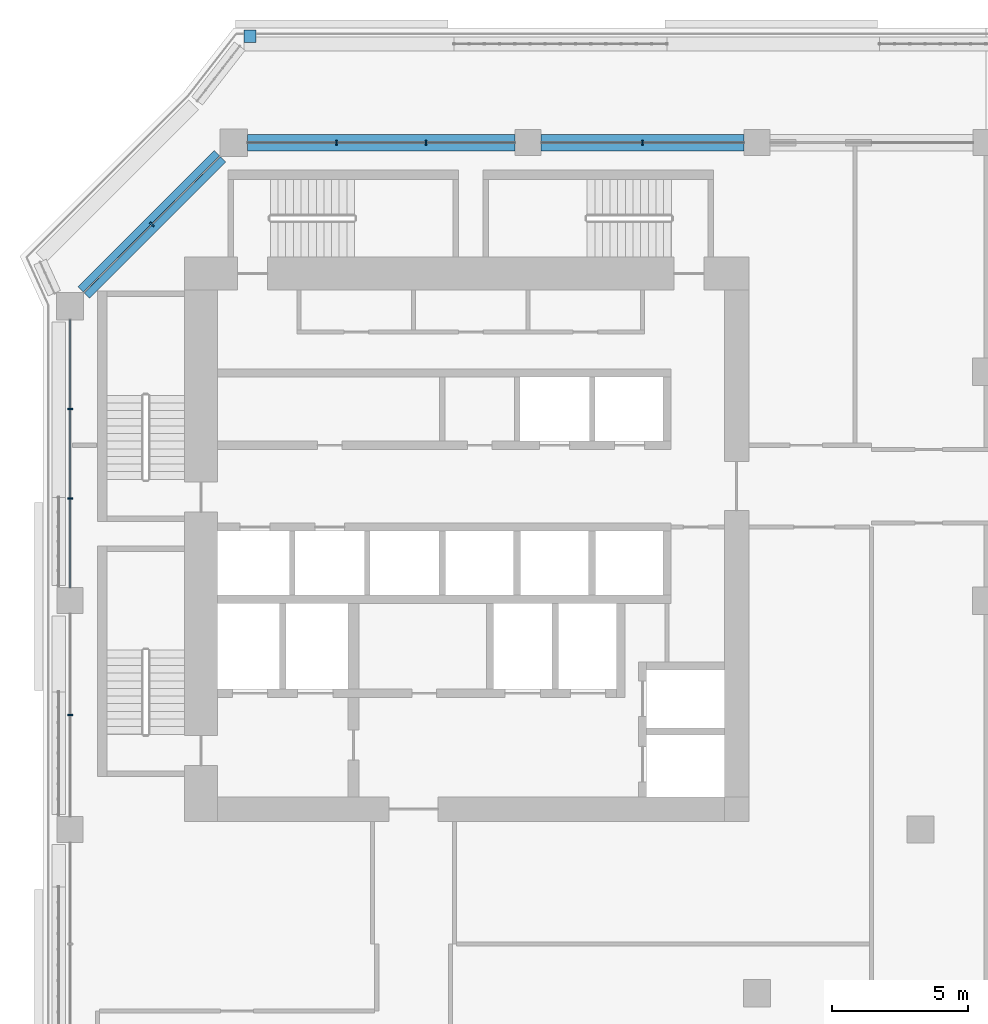
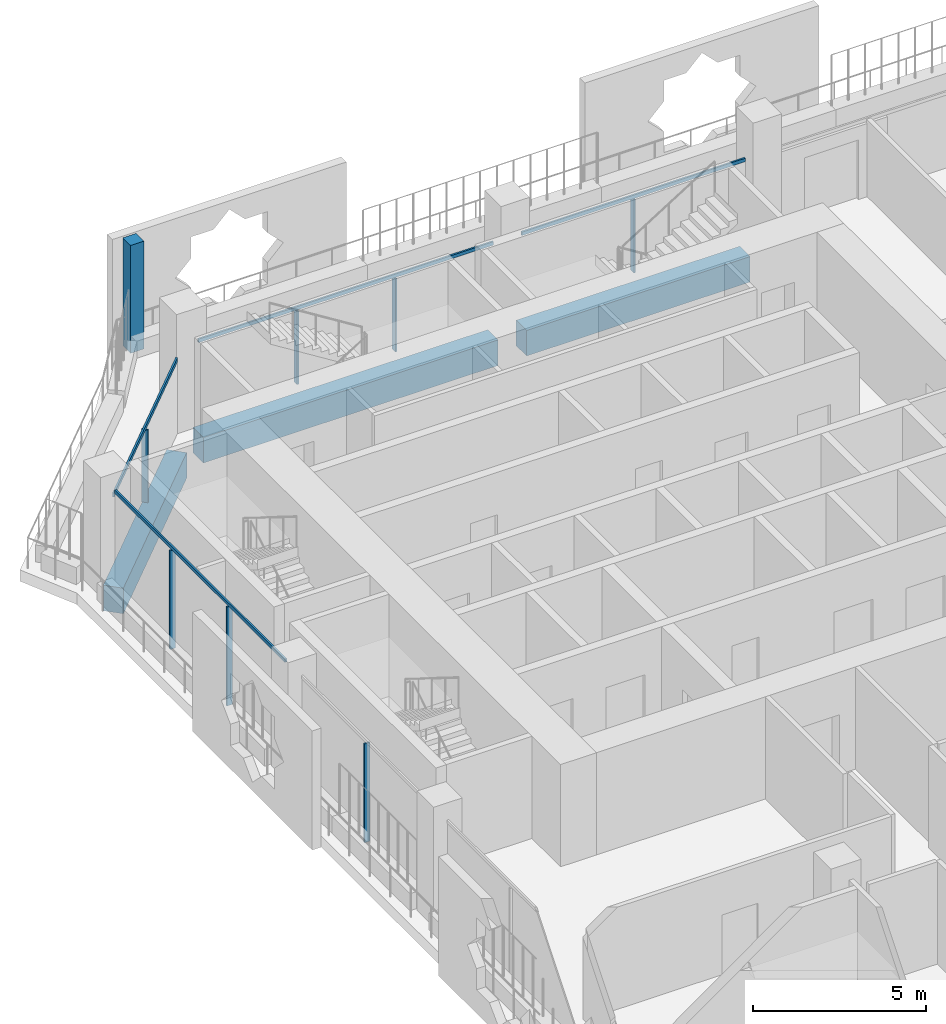
# One storey, part 5 of 22: 12 members, 3 beams, 4 elements without a shape of their own.
"""IFC4 building model written with IfcOpenShell, lengths in metres."""

from ifc_helpers import new_model, si_unit, direction, frame, origin, origin_2d, place, context, subcontext, project, spatial, rectangle, extrude, material, layer, layer_set, material_profile, profile_set, type_object, element, aggregate, save


model = new_model("IFC4")

# Units and contexts
model_context = context("Model", 3, precision=1e-05, world=origin(), true_north=direction((0.0, 1.0)))
body_context = subcontext(model_context, "Body", "Model", "MODEL_VIEW")
ifc_project = project(units=[si_unit("LENGTHUNIT", "METRE"), si_unit("AREAUNIT", "SQUARE_METRE"), si_unit("VOLUMEUNIT", "CUBIC_METRE"), si_unit("PLANEANGLEUNIT", "RADIAN"), si_unit("MASSUNIT", "GRAM", prefix="KILO")], contexts=[model_context])

# Site, building, storey
site_placement = place(None, origin())
site = spatial("IfcSite", under=ifc_project, at=site_placement, CompositionType="ELEMENT")
building_placement = place(site_placement, origin())
building = spatial("IfcBuilding", under=site, at=building_placement, Name="Kawkab Arch Medical Tower", CompositionType="ELEMENT")
storey_placement = place(building_placement, frame((0.0, 0.0, 187.800048828125)))
storey = spatial("IfcBuildingStorey", under=building, at=storey_placement, Name="L43", CompositionType="ELEMENT", Elevation=187.800048828125)

# Curtain wall, members
ifc_material_1 = material(Name="Bronze anodised aluminium curtain wall frame", Category="aluminium")
ifc_layer_1 = layer(ifc_material_1, 0.159912109375)
ifc_layer_set_1 = layer_set([ifc_layer_1], Name="Bronze anodised aluminium curtain wall frame")
curtain_wall_type_1 = type_object("IfcCurtainWallType", Name="CW1 ward curtain wall", PredefinedType="NOTDEFINED", material=ifc_layer_set_1)
placement = place(storey_placement, origin())
curtain_wall_1 = element("IfcCurtainWall", 1, at=placement, inside=storey, type_object=curtain_wall_type_1, Name="CW1 Ward curtain wall R01", PredefinedType="NOTDEFINED")
ifc_material_2 = material(Name="Bronze anodised aluminium curtain wall frame", Category="aluminium")
ifc_material_profile_1 = material_profile(ifc_material_2, rectangle(XDim=0.179931640625, YDim=0.06005859375, at=origin_2d()), Name="AL 60x180")
ifc_profile_set_1 = profile_set([ifc_material_profile_1], Name="Bronze anodised aluminium curtain wall frame")
member_type_1 = type_object("IfcMemberType", Name="CW1 mullion 60 x 180", PredefinedType="MULLION", material=ifc_profile_set_1)
member_1_placement = place(storey_placement, frame((0.0, -9.77490234375, 0.0), z_axis=(0.0, 0.0, 1.0), x_axis=(1.0, 0.0, 0.0)))
member_1 = element("IfcMember", 2, at=member_1_placement, type_object=member_type_1, Name="CW1 mullion 1.1", PredefinedType="MULLION", context=body_context, shape_type="SweptSolid", body=[
    extrude(rectangle(XDim=0.179931640625, YDim=0.06005859375, at=origin_2d()), origin(), (0.0, 0.0, 1.0), 3.47998046875),
])
member_2_placement = place(storey_placement, frame((0.0, -13.050048828125, 0.0), z_axis=(0.0, 0.0, 1.0), x_axis=(1.0, 0.0, 0.0)))
member_2 = element("IfcMember", 3, at=member_2_placement, type_object=member_type_1, Name="CW1 mullion 1.2", PredefinedType="MULLION", context=body_context, shape_type="SweptSolid", body=[
    extrude(rectangle(XDim=0.179931640625, YDim=0.06005859375, at=origin_2d()), origin(), (0.0, 0.0, 1.0), 3.47998046875),
])
member_3_placement = place(storey_placement, frame((0.0, -21.0, 0.0), z_axis=(0.0, 0.0, 1.0), x_axis=(1.0, 0.0, 0.0)))
member_3 = element("IfcMember", 4, at=member_3_placement, type_object=member_type_1, Name="CW1 mullion 2.1", PredefinedType="MULLION", context=body_context, shape_type="SweptSolid", body=[
    extrude(rectangle(XDim=0.179931640625, YDim=0.06005859375, at=origin_2d()), origin(), (0.0, 0.0, 1.0), 3.47998046875),
])

curtain_wall_2 = element("IfcCurtainWall", 5, at=placement, inside=storey, type_object=curtain_wall_type_1, Name="CW1 Ward curtain wall R11", PredefinedType="NOTDEFINED")
member_4_placement = place(storey_placement, frame((21.0, 0.0, 0.0), z_axis=(0.0, 0.0, 1.0), x_axis=(0.0, -1.0, 0.0)))
member_4 = element("IfcMember", 6, at=member_4_placement, type_object=member_type_1, Name="CW1 mullion 5.1", PredefinedType="MULLION", context=body_context, shape_type="SweptSolid", body=[
    extrude(rectangle(XDim=0.179931640625, YDim=0.06005859375, at=origin_2d()), origin(), (0.0, 0.0, 1.0), 2.579833984375),
])
member_5_placement = place(storey_placement, frame((13.050048828125, 0.0, 0.0), z_axis=(0.0, 0.0, 1.0), x_axis=(0.0, -1.0, 0.0)))
member_5 = element("IfcMember", 7, at=member_5_placement, type_object=member_type_1, Name="CW1 mullion 6.1", PredefinedType="MULLION", context=body_context, shape_type="SweptSolid", body=[
    extrude(rectangle(XDim=0.179931640625, YDim=0.06005859375, at=origin_2d()), origin(), (0.0, 0.0, 1.0), 2.579833984375),
])
member_6_placement = place(storey_placement, frame((9.77490234375, 0.0, 0.0), z_axis=(0.0, 0.0, 1.0), x_axis=(0.0, -1.0, 0.0)))
member_6 = element("IfcMember", 8, at=member_6_placement, type_object=member_type_1, Name="CW1 mullion 6.2", PredefinedType="MULLION", context=body_context, shape_type="SweptSolid", body=[
    extrude(rectangle(XDim=0.179931640625, YDim=0.06005859375, at=origin_2d()), origin(), (0.0, 0.0, 1.0), 2.579833984375),
])

# Member
ifc_material_3 = material(Name="Bronze anodised aluminium curtain wall frame", Category="aluminium")
ifc_material_profile_2 = material_profile(ifc_material_3, rectangle(XDim=0.06005859375, YDim=0.1201171875, at=origin_2d()), Name="AL 60x120")
ifc_profile_set_2 = profile_set([ifc_material_profile_2], Name="Bronze anodised aluminium curtain wall frame")
member_type_2 = type_object("IfcMemberType", Name="CW1 transom 120 x 60", PredefinedType="USERDEFINED", material=ifc_profile_set_2)
member_7_placement = place(storey_placement, frame((0.0, -6.5, 3.5400390625), z_axis=(0.0, -1.0, 0.0), x_axis=(1.0, 0.0, 0.0)))
member_7 = element("IfcMember", 9, at=member_7_placement, type_object=member_type_2, Name="CW1 transom 1", ObjectType="TRANSOM", PredefinedType="USERDEFINED", context=body_context, shape_type="SweptSolid", body=[
    extrude(rectangle(XDim=0.06005859375, YDim=0.1201171875, at=origin_2d()), origin(), (0.0, 0.0, 1.0), 9.824951171875),
])

aggregate(curtain_wall_1, [member_7, member_1, member_2, member_3])

member_8_placement = place(storey_placement, frame((24.72509765625, 0.0, 2.639892578125), z_axis=(-1.0, 0.0, 0.0), x_axis=(0.0, -1.0, 0.0)))
member_8 = element("IfcMember", 10, at=member_8_placement, type_object=member_type_2, Name="CW1 transom 5", ObjectType="TRANSOM", PredefinedType="USERDEFINED", context=body_context, shape_type="SweptSolid", body=[
    extrude(rectangle(XDim=0.06005859375, YDim=0.1201171875, at=origin_2d()), origin(), (0.0, 0.0, 1.0), 7.4501953125),
])

member_9_placement = place(storey_placement, frame((16.324951171875, 0.0, 2.639892578125), z_axis=(-1.0, 0.0, 0.0), x_axis=(0.0, -1.0, 0.0)))
member_9 = element("IfcMember", 11, at=member_9_placement, type_object=member_type_2, Name="CW1 transom 6", ObjectType="TRANSOM", PredefinedType="USERDEFINED", context=body_context, shape_type="SweptSolid", body=[
    extrude(rectangle(XDim=0.06005859375, YDim=0.1201171875, at=origin_2d()), origin(), (0.0, 0.0, 1.0), 9.824951171875),
])

aggregate(curtain_wall_2, [member_8, member_4, member_9, member_5, member_6])

# Curtain wall, members
ifc_material_4 = material(Name="Bronze anodised aluminium curtain wall frame", Category="aluminium")
ifc_layer_2 = layer(ifc_material_4, 0.159912109375)
ifc_layer_set_2 = layer_set([ifc_layer_2], Name="Bronze anodised aluminium curtain wall frame")
curtain_wall_type_2 = type_object("IfcCurtainWallType", Name="CW2 chamfer curtain wall", PredefinedType="NOTDEFINED", material=ifc_layer_set_2)
curtain_wall_3 = element("IfcCurtainWall", 12, at=placement, inside=storey, type_object=curtain_wall_type_2, Name="CW2 Chamfer curtain wall R12", PredefinedType="NOTDEFINED")
ifc_material_5 = material(Name="Bronze anodised aluminium curtain wall frame", Category="aluminium")
ifc_material_profile_3 = material_profile(ifc_material_5, rectangle(XDim=0.199951171875, YDim=0.06005859375, at=origin_2d()), Name="AL 60x200")
ifc_profile_set_3 = profile_set([ifc_material_profile_3], Name="Bronze anodised aluminium curtain wall frame")
member_type_3 = type_object("IfcMemberType", Name="CW2 mullion 60 x 200", PredefinedType="MULLION", material=ifc_profile_set_3)
member_10_placement = place(storey_placement, frame((3.0, -3.0, 0.0), z_axis=(0.0, 0.0, 1.0), x_axis=(0.707106781187, -0.707106781187, 0.0)))
member_10 = element("IfcMember", 13, at=member_10_placement, type_object=member_type_3, Name="CW2 mullion 1.1", PredefinedType="MULLION", context=body_context, shape_type="SweptSolid", body=[
    extrude(rectangle(XDim=0.199951171875, YDim=0.06005859375, at=origin_2d()), origin(), (0.0, 0.0, 1.0), 2.56005859375),
])
ifc_material_6 = material(Name="Bronze anodised aluminium curtain wall frame", Category="aluminium")
ifc_material_profile_4 = material_profile(ifc_material_6, rectangle(XDim=0.06005859375, YDim=0.139892578125, at=origin_2d()), Name="AL 60x140")
ifc_profile_set_4 = profile_set([ifc_material_profile_4], Name="Bronze anodised aluminium curtain wall frame")
member_type_4 = type_object("IfcMemberType", Name="CW2 transom 140 x 60", PredefinedType="USERDEFINED", material=ifc_profile_set_4)
member_11_placement = place(storey_placement, frame((5.5, -0.5, 2.6298828125), z_axis=(-0.707106781187, -0.707106781187, 0.0), x_axis=(0.707106781187, -0.707106781187, 0.0)))
member_11 = element("IfcMember", 14, at=member_11_placement, type_object=member_type_4, Name="CW2 transom 1", ObjectType="TRANSOM", PredefinedType="USERDEFINED", context=body_context, shape_type="SweptSolid", body=[
    extrude(rectangle(XDim=0.06005859375, YDim=0.139892578125, at=origin_2d()), origin(), (0.0, 0.0, 1.0), 7.071044921875),
])
aggregate(curtain_wall_3, [member_11, member_10])

# Curtain wall, member
ifc_material_7 = material(Name="Bronze anodised aluminium climber frame, planted", Category="aluminium")
ifc_layer_3 = layer(ifc_material_7, 0.449951171875)
ifc_layer_set_3 = layer_set([ifc_layer_3], Name="Bronze anodised aluminium climber frame, planted")
curtain_wall_type_3 = type_object("IfcCurtainWallType", Name="Planted climber frame", PredefinedType="NOTDEFINED", material=ifc_layer_set_3)
curtain_wall_4 = element("IfcCurtainWall", 15, at=placement, inside=storey, type_object=curtain_wall_type_3, Name="Planted climber frame L43", PredefinedType="NOTDEFINED")
ifc_material_8 = material(Name="Bronze anodised aluminium climber frame, planted", Category="aluminium")
ifc_material_profile_5 = material_profile(ifc_material_8, rectangle(XDim=0.449951171875, YDim=0.449951171875, at=origin_2d()), Name="Post 450x450")
ifc_profile_set_5 = profile_set([ifc_material_profile_5], Name="Bronze anodised aluminium climber frame, planted")
member_type_5 = type_object("IfcMemberType", Name="Planted climber post 450 x 450", PredefinedType="MULLION", material=ifc_profile_set_5)
member_12_placement = place(storey_placement, frame((6.596923828125, 3.89990234375, 0.0), z_axis=(0.0, 0.0, 1.0), x_axis=(1.0, 0.0, 0.0)))
member_12 = element("IfcMember", 16, at=member_12_placement, type_object=member_type_5, Name="Planted climber post L43.LOG-01-01.1", PredefinedType="MULLION", context=body_context, shape_type="SweptSolid", body=[
    extrude(rectangle(XDim=0.449951171875, YDim=0.449951171875, at=origin_2d()), origin(), (0.0, 0.0, 1.0), 3.800048828125),
])
aggregate(curtain_wall_4, [member_12])

# Beams
ifc_material_9 = material(Name="Concrete C50/60", Category="concrete")
ifc_material_profile_6 = material_profile(ifc_material_9, rectangle(XDim=0.60009765625, YDim=0.89990234375, at=origin_2d()), Name="RC 600x900")
ifc_profile_set_6 = profile_set([ifc_material_profile_6], Name="Concrete C50/60")
beam_type = type_object("IfcBeamType", Name="RC 600x900 beam C50/60", PredefinedType="BEAM", material=ifc_profile_set_6)
beam_1_placement = place(storey_placement, frame((0.5, -5.5, -1.050048828125), z_axis=(0.707106781187, 0.707106781187, 0.0), x_axis=(-0.707106781187, 0.707106781187, 0.0)))
element("IfcBeam", 17, at=beam_1_placement, inside=storey, type_object=beam_type, Name="Overhang edge beam L43-01", PredefinedType="BEAM", context=body_context, shape_type="SweptSolid", body=[
    extrude(rectangle(XDim=0.60009765625, YDim=0.89990234375, at=origin_2d()), origin(), (0.0, 0.0, 1.0), 7.071044921875),
])
beam_2_placement = place(storey_placement, frame((6.5, 0.0, -1.050048828125), z_axis=(1.0, 0.0, 0.0), x_axis=(0.0, 1.0, 0.0)))
element("IfcBeam", 18, at=beam_2_placement, inside=storey, type_object=beam_type, Name="Overhang edge beam L43-02", PredefinedType="BEAM", context=body_context, shape_type="SweptSolid", body=[
    extrude(rectangle(XDim=0.60009765625, YDim=0.89990234375, at=origin_2d()), origin(), (0.0, 0.0, 1.0), 9.824951171875),
])
beam_3_placement = place(storey_placement, frame((17.27490234375, 0.0, -1.050048828125), z_axis=(1.0, 0.0, 0.0), x_axis=(0.0, 1.0, 0.0)))
element("IfcBeam", 19, at=beam_3_placement, inside=storey, type_object=beam_type, Name="Overhang edge beam L43-03", PredefinedType="BEAM", context=body_context, shape_type="SweptSolid", body=[
    extrude(rectangle(XDim=0.60009765625, YDim=0.89990234375, at=origin_2d()), origin(), (0.0, 0.0, 1.0), 7.4501953125),
])

save(model, "model.ifc")
